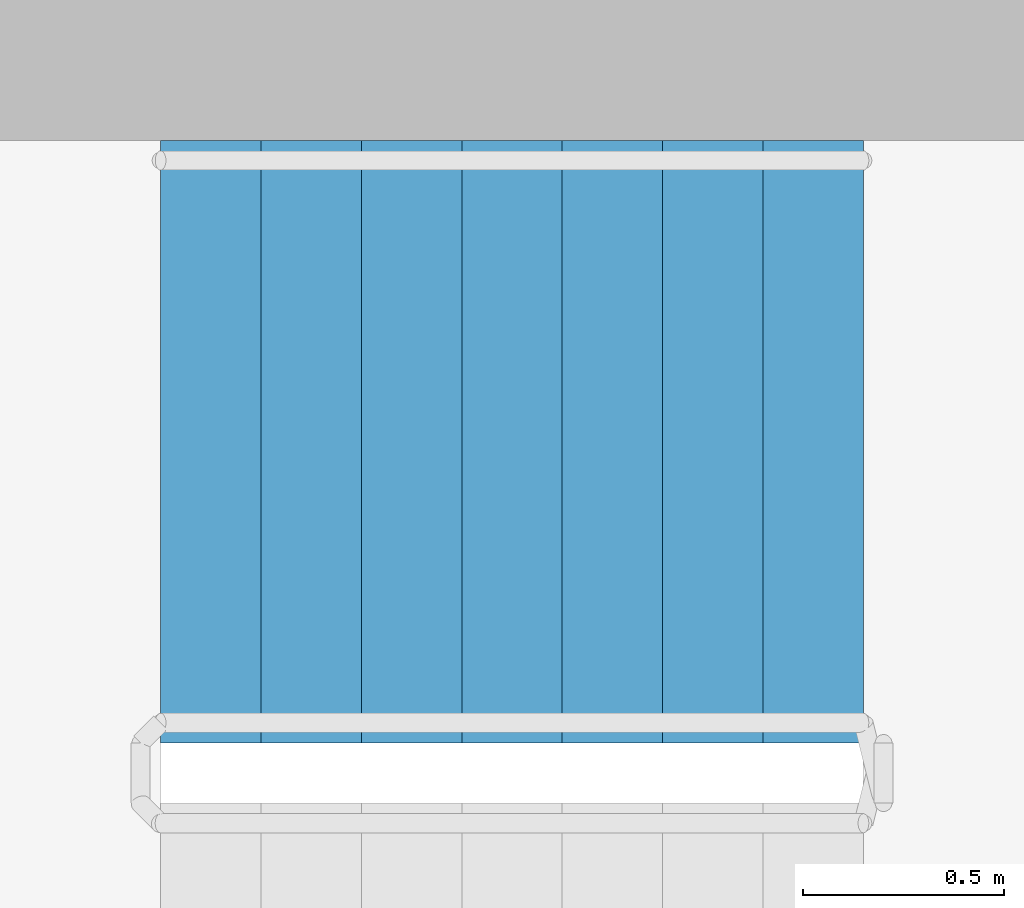
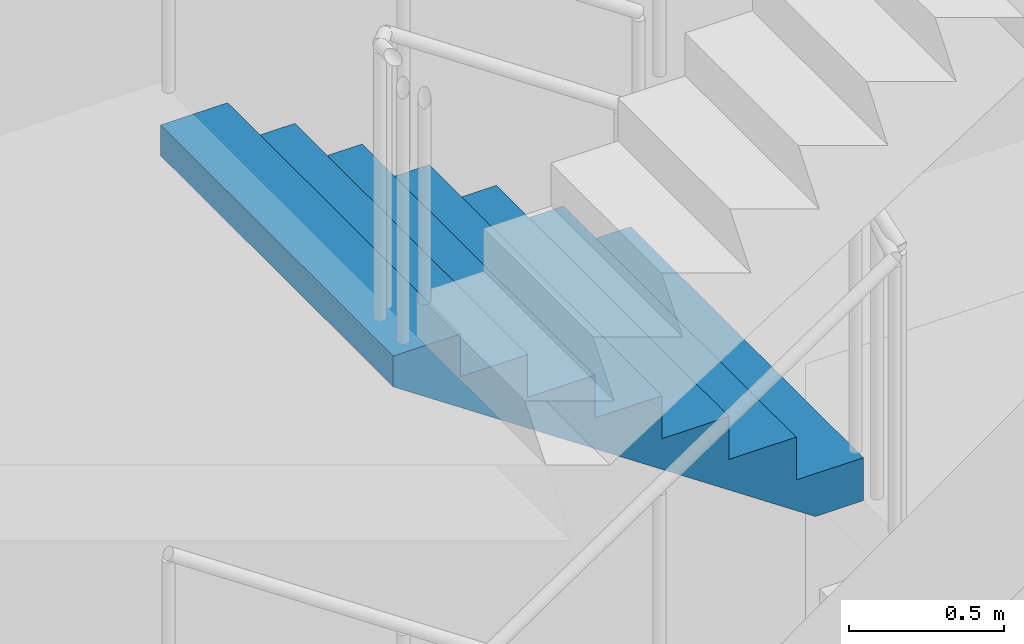
# One storey, part 9 of 11: 1 stair flight, 1 element without a shape of its own.
"""IFC4 building model written with IfcOpenShell, lengths in metres."""

from ifc_helpers import new_model, si_unit, direction, frame, origin, place, context, subcontext, project, spatial, polyline, outline, extrude, material, type_object, element, aggregate, save


model = new_model("IFC4")

# Units and contexts
model_context = context("Model", 3, precision=1e-05, world=origin(), true_north=direction((0.0, 1.0)))
body_context = subcontext(model_context, "Body", "Model", "MODEL_VIEW")
ifc_project = project(units=[si_unit("LENGTHUNIT", "METRE"), si_unit("AREAUNIT", "SQUARE_METRE"), si_unit("VOLUMEUNIT", "CUBIC_METRE"), si_unit("PLANEANGLEUNIT", "RADIAN"), si_unit("MASSUNIT", "GRAM", prefix="KILO")], contexts=[model_context])

# Site, building, storey
site_placement = place(None, origin())
site = spatial("IfcSite", under=ifc_project, at=site_placement, CompositionType="ELEMENT")
building_placement = place(site_placement, origin())
building = spatial("IfcBuilding", under=site, at=building_placement, Name="Tracery Tower", CompositionType="ELEMENT")
storey_placement = place(building_placement, frame((0.0, 0.0, 346.800048828125)))
storey = spatial("IfcBuildingStorey", under=building, at=storey_placement, Name="L89", CompositionType="ELEMENT", Elevation=346.800048828125)

# Stair, stair flight
ifc_material_1 = material(Name="Concrete C32/40", Category="concrete")
stair_type = type_object("IfcStairType", Name="Core stair 32 risers", PredefinedType="HALF_TURN_STAIR", material=ifc_material_1)
stair_placement = place(storey_placement, origin())
stair = element("IfcStair", 1, at=stair_placement, inside=storey, type_object=stair_type, Name="L89 stair ST3", PredefinedType="HALF_TURN_STAIR")
ifc_material_2 = material(Name="Concrete C32/40", Category="concrete")
stair_flight_type = type_object("IfcStairFlightType", Name="Core stair flight 8 risers", PredefinedType="STRAIGHT", material=ifc_material_2)
stair_flight_placement = place(storey_placement, frame((-4.800048828125, 5.64990234375, 2.699951171875), z_axis=(0.0, 0.0, 1.0), x_axis=(-1.0, 0.0, 0.0)))
stair_flight = element("IfcStairFlight", 2, at=stair_flight_placement, type_object=stair_flight_type, Name="ST3 flight 3", NumberOfRisers=8, NumberOfTreads=7, PredefinedType="STRAIGHT", RiserHeight=0.16875, TreadLength=0.25, context=body_context, shape_type="SweptSolid", body=[
    extrude(outline(polyline([(0.0, 0.0), (0.0, 0.002685546875), (0.0, 0.005615234375), (0.0, 0.00830078125), (0.0, 0.010986328125), (0.0, 0.013916015625), (0.0, 0.0166015625), (0.0, 0.019287109375), (0.0, 0.022216796875), (0.0, 0.02490234375), (0.0, 0.027587890625), (0.0, 0.030517578125), (0.0, 0.033203125), (0.0, 0.035888671875), (0.0, 0.038818359375), (0.0, 0.04150390625), (0.0, 0.044189453125), (0.0, 0.047119140625), (0.0, 0.0498046875), (0.0, 0.052490234375), (0.0, 0.055419921875), (0.0, 0.05810546875), (0.0, 0.060791015625), (0.0, 0.063720703125), (0.0, 0.06640625), (0.0, 0.069091796875), (0.0, 0.072021484375), (0.0, 0.07470703125), (0.0, 0.077392578125), (0.0, 0.080322265625), (0.0, 0.0830078125), (0.0, 0.085693359375), (0.0, 0.088623046875), (0.0, 0.09130859375), (0.0, 0.093994140625), (0.0, 0.096923828125), (0.0, 0.099609375), (0.0, 0.102294921875), (0.0, 0.105224609375), (0.0, 0.10791015625), (0.0, 0.110595703125), (0.0, 0.113525390625), (0.0, 0.1162109375), (0.0, 0.118896484375), (0.0, 0.121826171875), (0.0, 0.12451171875), (0.0, 0.127197265625), (0.0, 0.130126953125), (0.0, 0.1328125), (0.0, 0.135498046875), (0.0, 0.138427734375), (0.0, 0.14111328125), (0.0, 0.143798828125), (0.0, 0.146728515625), (0.0, 0.1494140625), (0.0, 0.152099609375), (0.0, 0.155029296875), (0.0, 0.15771484375), (0.0, 0.160400390625), (0.0, 0.163330078125), (0.0, 0.166015625), (0.0, 0.168701171875), (0.25, 0.168701171875), (0.25, 0.33740234375), (0.5, 0.33740234375), (0.5, 0.50634765625), (0.75, 0.50634765625), (0.75, 0.675048828125), (1.0, 0.675048828125), (1.0, 0.84375), (1.25, 0.84375), (1.25, 1.012451171875), (1.5, 1.012451171875), (1.5, 1.18115234375), (1.75, 1.18115234375), (1.75, 1.17919921875), (1.75, 1.17724609375), (1.75, 1.17529296875), (1.75, 1.17333984375), (1.75, 1.17138671875), (1.75, 1.16943359375), (1.75, 1.16748046875), (1.75, 1.16552734375), (1.75, 1.163330078125), (1.75, 1.161376953125), (1.75, 1.159423828125), (1.75, 1.157470703125), (1.75, 1.155517578125), (1.75, 1.153564453125), (1.75, 1.151611328125), (1.75, 1.149658203125), (1.75, 1.147705078125), (1.75, 1.1455078125), (1.75, 1.1435546875), (1.75, 1.1416015625), (1.75, 1.1396484375), (1.75, 1.1376953125), (1.75, 1.1357421875), (1.75, 1.1337890625), (1.75, 1.1318359375), (1.75, 1.1298828125), (1.75, 1.127685546875), (1.75, 1.125732421875), (1.75, 1.123779296875), (1.75, 1.121826171875), (1.75, 1.119873046875), (1.75, 1.117919921875), (1.75, 1.115966796875), (1.75, 1.114013671875), (1.75, 1.112060546875), (1.75, 1.10986328125), (1.75, 1.10791015625), (1.75, 1.10595703125), (1.75, 1.10400390625), (1.75, 1.10205078125), (1.75, 1.10009765625), (1.75, 1.09814453125), (1.75, 1.09619140625), (1.75, 1.09423828125), (1.75, 1.092041015625), (1.75, 1.090087890625), (1.75, 1.088134765625), (1.75, 1.086181640625), (1.75, 1.084228515625), (1.75, 1.082275390625), (1.75, 1.080322265625), (1.75, 1.078369140625), (1.75, 1.076416015625), (1.75, 1.074462890625), (1.75, 1.072265625), (1.75, 1.0703125), (1.75, 1.068359375), (1.75, 1.06640625), (1.75, 1.064453125), (1.75, 1.0625), (1.75, 1.060546875), (0.178955078125, 0.0), (0.0, 0.0)])), frame((0.0, 0.75, 0.0), z_axis=(0.0, -1.0, 0.0), x_axis=(1.0, 0.0, 0.0)), (0.0, 0.0, 1.0), 1.5),
])
aggregate(stair, [stair_flight])

save(model, "model.ifc")
